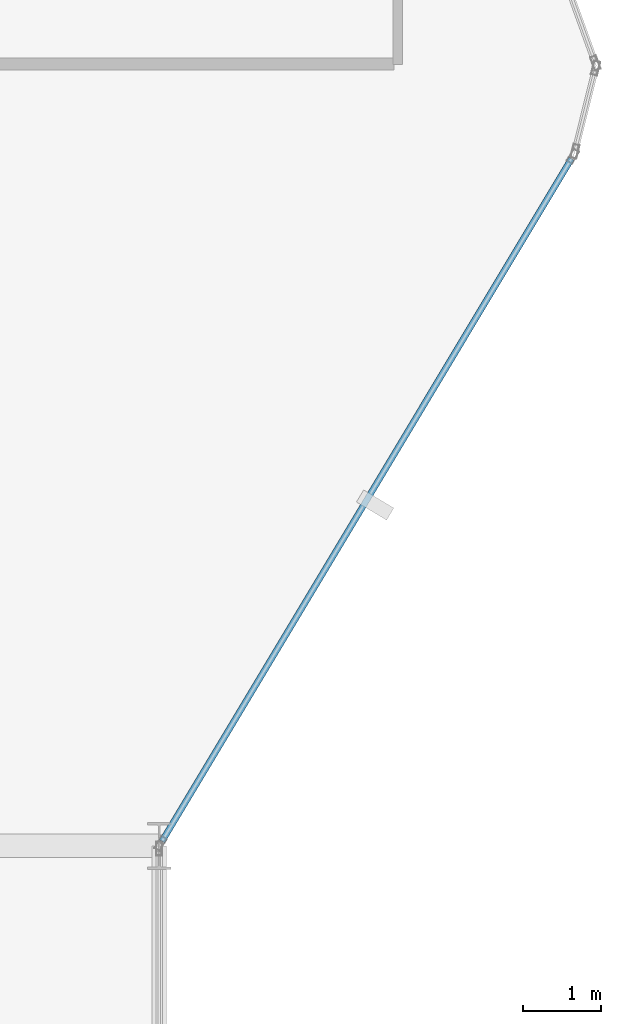
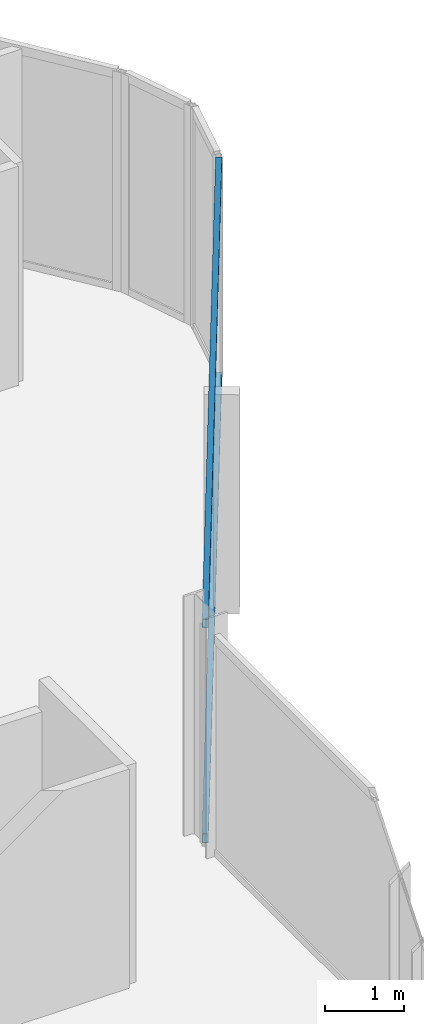
# One storey, part 13 of 30: 2 members, 1 element without a shape of its own.
"""IFC4 building model written with IfcOpenShell, lengths in metres."""

from ifc_helpers import new_model, si_unit, direction, frame, origin, origin_2d, place, context, subcontext, project, spatial, hollow_rectangle, extrude, material, layer, layer_set, material_profile, profile_set, type_object, element, aggregate, save


model = new_model("IFC4")

# Units and contexts
model_context = context("Model", 3, precision=1e-05, world=origin(), true_north=direction((0.0, 1.0)))
body_context = subcontext(model_context, "Body", "Model", "MODEL_VIEW")
ifc_project = project(units=[si_unit("LENGTHUNIT", "METRE"), si_unit("AREAUNIT", "SQUARE_METRE"), si_unit("VOLUMEUNIT", "CUBIC_METRE"), si_unit("PLANEANGLEUNIT", "RADIAN"), si_unit("MASSUNIT", "GRAM", prefix="KILO")], contexts=[model_context])

# Site, building, storey
site_placement = place(None, origin())
site = spatial("IfcSite", under=ifc_project, at=site_placement, CompositionType="ELEMENT")
building_placement = place(site_placement, origin())
building = spatial("IfcBuilding", under=site, at=building_placement, Name="Keshet Zoharim Tower", CompositionType="ELEMENT")
storey_placement = place(building_placement, frame((0.0, 0.0, 116.800048828125)))
storey = spatial("IfcBuildingStorey", under=building, at=storey_placement, Name="L28", CompositionType="ELEMENT", Elevation=116.800048828125)

# Curtain wall, members
ifc_material = material(Name="Aluminium 6063-T6", Category="aluminium")
ifc_layer = layer(ifc_material, 0.159912109375)
ifc_layer_set = layer_set([ifc_layer], Name="Aluminium 6063-T6")
curtain_wall_type = type_object("IfcCurtainWallType", Name="CW-SYS-03", PredefinedType="NOTDEFINED", material=ifc_layer_set)
curtain_wall_placement = place(storey_placement, origin())
curtain_wall = element("IfcCurtainWall", 1, at=curtain_wall_placement, inside=storey, type_object=curtain_wall_type, Name="L28 Unitised Curtain Wall 18", PredefinedType="NOTDEFINED")
ifc_material_profile = material_profile(ifc_material, hollow_rectangle(XDim=0.080078125, YDim=0.139892578125, WallThickness=0.00390625, at=origin_2d()), Name="TRN-80x140")
ifc_profile_set = profile_set([ifc_material_profile], Name="Aluminium 6063-T6")
member_type = type_object("IfcMemberType", Name="CWT-T14", PredefinedType="USERDEFINED", material=ifc_profile_set)
member_1_placement = place(storey_placement, frame((62.27197265625, 36.68701171875, 0.034912109375), z_axis=(-0.514467532827, -0.857509858641, 0.0), x_axis=(0.857509858641, -0.514467532827, 0.0)))
member_1 = element("IfcMember", 2, at=member_1_placement, type_object=member_type, Name="CW-03 transom 1.1", ObjectType="TRANSOM", PredefinedType="USERDEFINED", context=body_context, shape_type="SweptSolid", body=[
    extrude(hollow_rectangle(XDim=0.080078125, YDim=0.139892578125, WallThickness=0.00390625, at=origin_2d()), origin(), (0.0, 0.0, 1.0), 10.17724609375),
])
member_2_placement = place(storey_placement, frame((62.27197265625, 36.68701171875, 3.344970703125), z_axis=(-0.514467532827, -0.857509858641, 0.0), x_axis=(0.857509858641, -0.514467532827, 0.0)))
member_2 = element("IfcMember", 3, at=member_2_placement, type_object=member_type, Name="CW-03 transom 1.2", ObjectType="TRANSOM", PredefinedType="USERDEFINED", context=body_context, shape_type="SweptSolid", body=[
    extrude(hollow_rectangle(XDim=0.080078125, YDim=0.139892578125, WallThickness=0.00390625, at=origin_2d()), origin(), (0.0, 0.0, 1.0), 10.17724609375),
])
aggregate(curtain_wall, [member_1, member_2])

save(model, "model.ifc")
